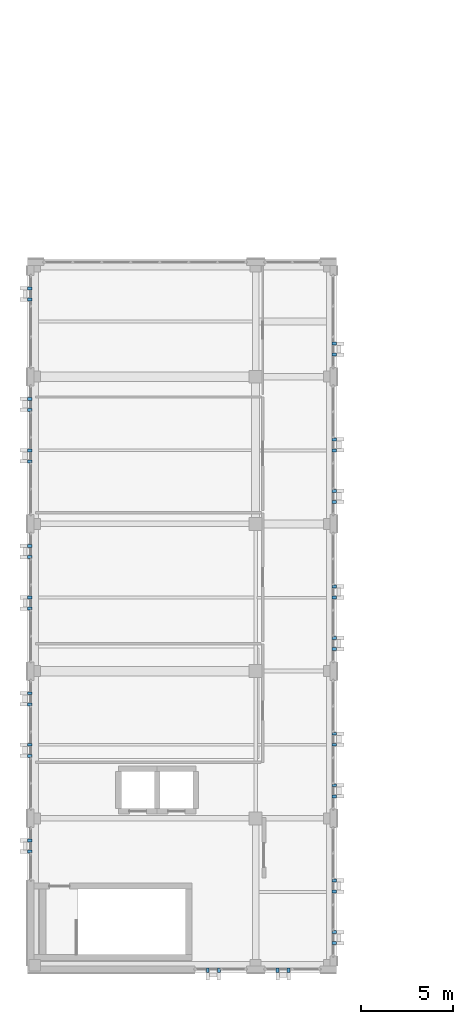
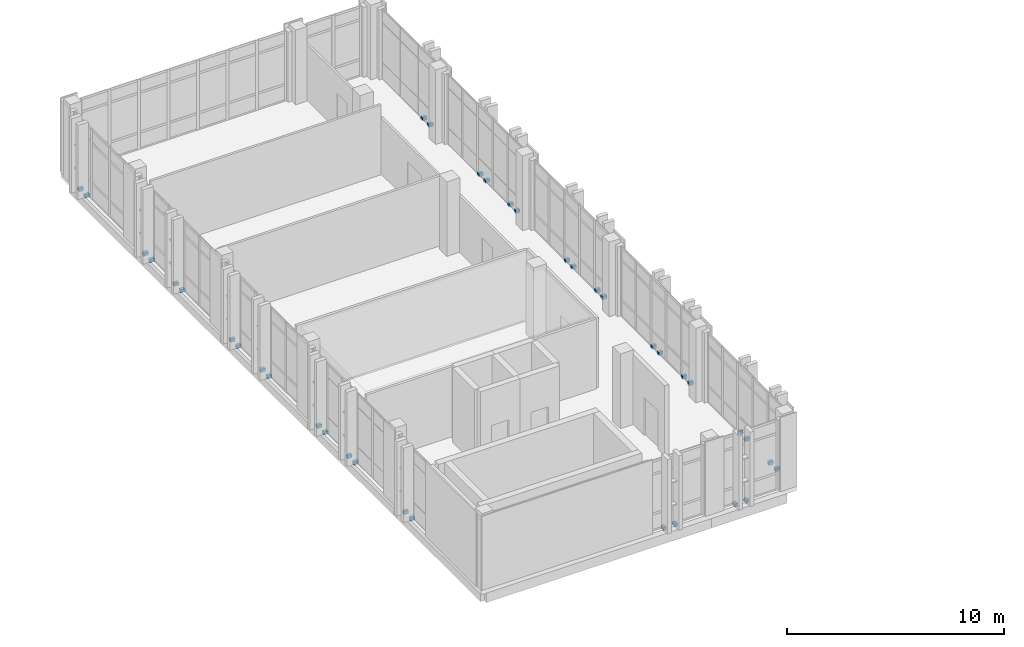
# One storey, part 40 of 48: 38 discrete accessories.
"""IFC4 building model written with IfcOpenShell, lengths in metres."""

from ifc_helpers import new_model, si_unit, direction, frame, origin, origin_2d, place, context, subcontext, project, spatial, rectangle, extrude, material, type_object, element, save


model = new_model("IFC4")

# Units and contexts
model_context = context("Model", 3, precision=1e-05, world=origin(), true_north=direction((0.0, 1.0)))
body_context = subcontext(model_context, "Body", "Model", "MODEL_VIEW")
ifc_project = project(units=[si_unit("LENGTHUNIT", "METRE"), si_unit("AREAUNIT", "SQUARE_METRE"), si_unit("VOLUMEUNIT", "CUBIC_METRE"), si_unit("PLANEANGLEUNIT", "RADIAN"), si_unit("MASSUNIT", "GRAM", prefix="KILO")], contexts=[model_context])

# Site, building, storey
site_placement = place(None, origin())
site = spatial("IfcSite", under=ifc_project, at=site_placement, CompositionType="ELEMENT")
building_placement = place(site_placement, origin())
building = spatial("IfcBuilding", under=site, at=building_placement, Name="Qalavern Law Courts", CompositionType="ELEMENT")
storey_placement = place(building_placement, frame((0.0, 0.0, 31.199951171875)))
storey = spatial("IfcBuildingStorey", under=building, at=storey_placement, Name="L07", CompositionType="ELEMENT", Elevation=31.199951171875)

# Discrete accessories
ifc_material = material(Name="Steel S355", Category="steel")
discrete_accessory_type = type_object("IfcDiscreteAccessoryType", Name="ENV-BRK-FIN", PredefinedType="BRACKET", material=ifc_material)
for number, where, z_axis, x_axis, name in (
    (1, (11.800048828125, 41.137451171875, -0.06982421875), (0.0, 0.0, 1.0), (0.0, -1.0, 0.0), "Stone blade anchor bracket 0497"),
    (2, (12.39990234375, 41.137451171875, -0.06982421875), (0.0, 0.0, 1.0), (0.0, -1.0, 0.0), "Stone blade anchor bracket 0498"),
    (3, (15.60009765625, 41.137451171875, -0.06982421875), (0.0, 0.0, 1.0), (0.0, -1.0, 0.0), "Stone blade anchor bracket 0499"),
    (4, (16.199951171875, 41.137451171875, -0.06982421875), (0.0, 0.0, 1.0), (0.0, -1.0, 0.0), "Stone blade anchor bracket 0500"),
    (5, (18.6826171875, 42.6201171875, -0.06982421875), (0.0, 0.0, 1.0), (1.0, 0.0, 0.0), "Stone blade anchor bracket 0501"),
    (6, (18.6826171875, 43.219970703125, -0.06982421875), (0.0, 0.0, 1.0), (1.0, 0.0, 0.0), "Stone blade anchor bracket 0502"),
    (7, (18.6826171875, 45.419921875, -0.06982421875), (0.0, 0.0, 1.0), (1.0, 0.0, 0.0), "Stone blade anchor bracket 0503"),
    (8, (18.6826171875, 46.02001953125, -0.06982421875), (0.0, 0.0, 1.0), (1.0, 0.0, 0.0), "Stone blade anchor bracket 0504"),
    (9, (18.6826171875, 50.60009765625, -0.06982421875), (0.0, 0.0, 1.0), (1.0, 0.0, 0.0), "Stone blade anchor bracket 0505"),
    (10, (18.6826171875, 51.199951171875, -0.06982421875), (0.0, 0.0, 1.0), (1.0, 0.0, 0.0), "Stone blade anchor bracket 0506"),
    (11, (18.6826171875, 53.39990234375, -0.06982421875), (0.0, 0.0, 1.0), (1.0, 0.0, 0.0), "Stone blade anchor bracket 0507"),
    (12, (18.6826171875, 54.0, -0.06982421875), (0.0, 0.0, 1.0), (1.0, 0.0, 0.0), "Stone blade anchor bracket 0508"),
    (13, (18.6826171875, 58.60009765625, -0.06982421875), (0.0, 0.0, 1.0), (1.0, 0.0, 0.0), "Stone blade anchor bracket 0509"),
    (14, (18.6826171875, 59.199951171875, -0.06982421875), (0.0, 0.0, 1.0), (1.0, 0.0, 0.0), "Stone blade anchor bracket 0510"),
    (15, (18.6826171875, 61.39990234375, -0.06982421875), (0.0, 0.0, 1.0), (1.0, 0.0, 0.0), "Stone blade anchor bracket 0511"),
    (16, (18.6826171875, 62.0, -0.06982421875), (0.0, 0.0, 1.0), (1.0, 0.0, 0.0), "Stone blade anchor bracket 0512"),
    (17, (18.6826171875, 66.60009765625, -0.06982421875), (0.0, 0.0, 1.0), (1.0, 0.0, 0.0), "Stone blade anchor bracket 0513"),
    (18, (18.6826171875, 67.199951171875, -0.06982421875), (0.0, 0.0, 1.0), (1.0, 0.0, 0.0), "Stone blade anchor bracket 0514"),
    (19, (18.6826171875, 69.39990234375, -0.06982421875), (0.0, 0.0, 1.0), (1.0, 0.0, 0.0), "Stone blade anchor bracket 0515"),
    (20, (18.6826171875, 70.0, -0.06982421875), (0.0, 0.0, 1.0), (1.0, 0.0, 0.0), "Stone blade anchor bracket 0516"),
    (21, (18.6826171875, 74.60009765625, -0.06982421875), (0.0, 0.0, 1.0), (1.0, 0.0, 0.0), "Stone blade anchor bracket 0517"),
    (22, (18.6826171875, 75.199951171875, -0.06982421875), (0.0, 0.0, 1.0), (1.0, 0.0, 0.0), "Stone blade anchor bracket 0518"),
    (23, (2.117431640625, 78.199951171875, -0.06982421875), (0.0, 0.0, 1.0), (-1.0, 0.0, 0.0), "Stone blade anchor bracket 0519"),
    (24, (2.117431640625, 77.60009765625, -0.06982421875), (0.0, 0.0, 1.0), (-1.0, 0.0, 0.0), "Stone blade anchor bracket 0520"),
    (25, (2.117431640625, 72.199951171875, -0.06982421875), (0.0, 0.0, 1.0), (-1.0, 0.0, 0.0), "Stone blade anchor bracket 0521"),
    (26, (2.117431640625, 71.60009765625, -0.06982421875), (0.0, 0.0, 1.0), (-1.0, 0.0, 0.0), "Stone blade anchor bracket 0522"),
    (27, (2.117431640625, 69.39990234375, -0.06982421875), (0.0, 0.0, 1.0), (-1.0, 0.0, 0.0), "Stone blade anchor bracket 0523"),
    (28, (2.117431640625, 68.800048828125, -0.06982421875), (0.0, 0.0, 1.0), (-1.0, 0.0, 0.0), "Stone blade anchor bracket 0524"),
    (29, (2.117431640625, 64.199951171875, -0.06982421875), (0.0, 0.0, 1.0), (-1.0, 0.0, 0.0), "Stone blade anchor bracket 0525"),
    (30, (2.117431640625, 63.60009765625, -0.06982421875), (0.0, 0.0, 1.0), (-1.0, 0.0, 0.0), "Stone blade anchor bracket 0526"),
    (31, (2.117431640625, 61.39990234375, -0.06982421875), (0.0, 0.0, 1.0), (-1.0, 0.0, 0.0), "Stone blade anchor bracket 0527"),
    (32, (2.117431640625, 60.800048828125, -0.06982421875), (0.0, 0.0, 1.0), (-1.0, 0.0, 0.0), "Stone blade anchor bracket 0528"),
    (33, (2.117431640625, 56.199951171875, -0.06982421875), (0.0, 0.0, 1.0), (-1.0, 0.0, 0.0), "Stone blade anchor bracket 0529"),
    (34, (2.117431640625, 55.60009765625, -0.06982421875), (0.0, 0.0, 1.0), (-1.0, 0.0, 0.0), "Stone blade anchor bracket 0530"),
    (35, (2.117431640625, 53.39990234375, -0.06982421875), (0.0, 0.0, 1.0), (-1.0, 0.0, 0.0), "Stone blade anchor bracket 0531"),
    (36, (2.117431640625, 52.800048828125, -0.06982421875), (0.0, 0.0, 1.0), (-1.0, 0.0, 0.0), "Stone blade anchor bracket 0532"),
    (37, (2.117431640625, 48.199951171875, -0.06982421875), (0.0, 0.0, 1.0), (-1.0, 0.0, 0.0), "Stone blade anchor bracket 0533"),
    (38, (2.117431640625, 47.60009765625, -0.06982421875), (0.0, 0.0, 1.0), (-1.0, 0.0, 0.0), "Stone blade anchor bracket 0534"),
):
    element("IfcDiscreteAccessory", number, at=place(storey_placement, frame(where, z_axis=z_axis, x_axis=x_axis)), inside=storey, type_object=discrete_accessory_type, Name=name, PredefinedType="BRACKET", context=body_context, shape_type="SweptSolid", body=[
        extrude(rectangle(XDim=0.239990234375, YDim=0.159912109375, at=origin_2d()), origin(), (0.0, 0.0, 1.0), 0.179931640625),
    ])

save(model, "model.ifc")
